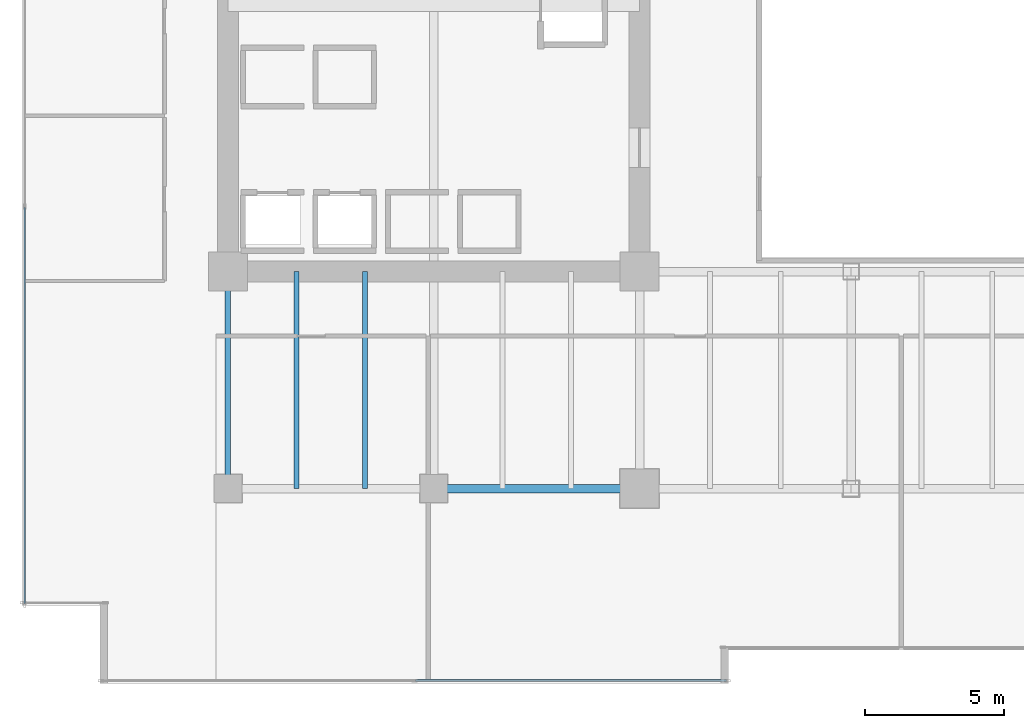
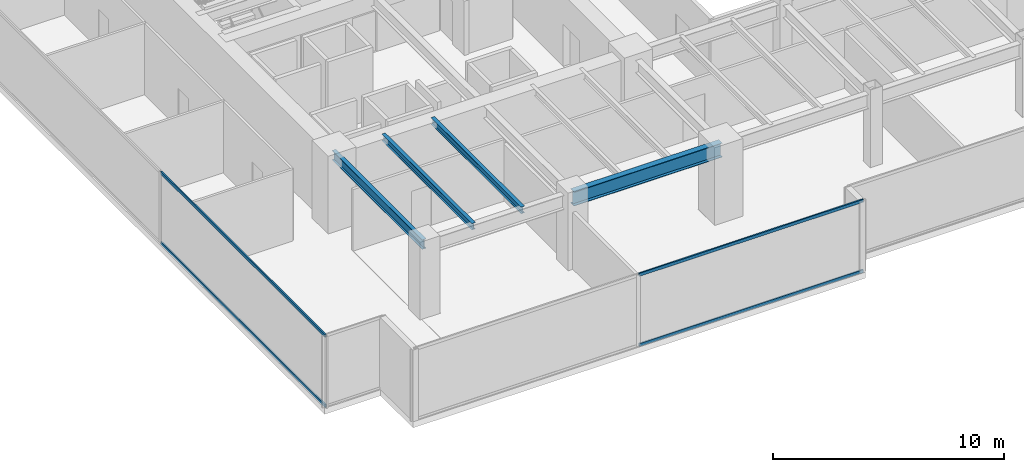
# One storey, part 3 of 37: 4 beams, 4 members, 2 elements without a shape of their own.
"""IFC4 building model written with IfcOpenShell, lengths in metres."""

from ifc_helpers import new_model, si_unit, direction, frame, origin, origin_2d, place, context, subcontext, project, spatial, hollow_rectangle, i_section, extrude, source, transform, mapped, material, layer, layer_set, material_profile, profile_set, type_object, type_shapes, element, aggregate, save


model = new_model("IFC4")

# Units and contexts
model_context = context("Model", 3, precision=1e-05, world=origin(), true_north=direction((0.0, 1.0)))
body_context = subcontext(model_context, "Body", "Model", "MODEL_VIEW")
ifc_project = project(units=[si_unit("LENGTHUNIT", "METRE"), si_unit("AREAUNIT", "SQUARE_METRE"), si_unit("VOLUMEUNIT", "CUBIC_METRE"), si_unit("PLANEANGLEUNIT", "RADIAN"), si_unit("MASSUNIT", "GRAM", prefix="KILO")], contexts=[model_context])

# Site, building, storey
site_placement = place(None, origin())
site = spatial("IfcSite", under=ifc_project, at=site_placement, CompositionType="ELEMENT")
building_placement = place(site_placement, origin())
building = spatial("IfcBuilding", under=site, at=building_placement, Name="Haelvirn Gate Laboratories", CompositionType="ELEMENT")
storey_placement = place(building_placement, frame((0.0, 0.0, 78.5)))
storey = spatial("IfcBuildingStorey", under=building, at=storey_placement, Name="L19", CompositionType="ELEMENT", Elevation=78.5)

# Beams
ifc_material_1 = material(Name="Steel SM355", Category="steel")
ifc_material_profile_1 = material_profile(ifc_material_1, i_section(OverallWidth=0.300048828125, OverallDepth=0.75, WebThickness=0.013916015625, FlangeThickness=0.02392578125, at=origin_2d()), Name="H-750x300x14x24")
ifc_profile_set_1 = profile_set([ifc_material_profile_1], Name="Steel SM355")
beam_type_1 = type_object("IfcBeamType", Name="BM-G-750", PredefinedType="BEAM", material=ifc_profile_set_1)
shared_shape_1 = source(origin(), body_context, "Body", "SweptSolid", [
    extrude(i_section(OverallWidth=0.300048828125, OverallDepth=0.75, WebThickness=0.013916015625, FlangeThickness=0.02392578125, at=origin_2d()), origin(), (0.0, 0.0, 1.0), 7.39990234375),
])
type_shapes(beam_type_1, [shared_shape_1])
beam_1_placement = place(storey_placement, frame((14.800048828125, 7.0, 3.405029296875), z_axis=(1.0, 0.0, 0.0), x_axis=(0.0, 1.0, 0.0)))
element("IfcBeam", 1, at=beam_1_placement, inside=storey, type_object=beam_type_1, Name="L19 Primary Girder Y7.0 (14.8-22.2)", PredefinedType="BEAM", context=body_context, shape_type="MappedRepresentation", body=[
    mapped(shared_shape_1, transform((0.0, 0.0, 0.0), scale=1.0)),
])
ifc_material_profile_2 = material_profile(ifc_material_1, i_section(OverallWidth=0.199951171875, OverallDepth=0.5, WebThickness=0.010009765625, FlangeThickness=0.01611328125, at=origin_2d()), Name="H-500x200x10x16")
ifc_profile_set_2 = profile_set([ifc_material_profile_2], Name="Steel SM355")
beam_type_2 = type_object("IfcBeamType", Name="BM-SP-500", PredefinedType="SPANDREL", material=ifc_profile_set_2)
shared_shape_2 = source(origin(), body_context, "Body", "SweptSolid", [
    extrude(i_section(OverallWidth=0.199951171875, OverallDepth=0.5, WebThickness=0.010009765625, FlangeThickness=0.01611328125, at=origin_2d()), origin(), (0.0, 0.0, 1.0), 7.800048828125),
])
type_shapes(beam_type_2, [shared_shape_2])
beam_2_placement = place(storey_placement, frame((7.39990234375, 7.0, 3.530029296875), z_axis=(0.0, 1.0, 0.0), x_axis=(-1.0, 0.0, 0.0)))
element("IfcBeam", 2, at=beam_2_placement, inside=storey, type_object=beam_type_2, Name="L19 Perimeter Spandrel X7.4 (7.0-14.8)", PredefinedType="SPANDREL", context=body_context, shape_type="MappedRepresentation", body=[
    mapped(shared_shape_2, transform((0.0, 0.0, 0.0), scale=1.0)),
])
ifc_material_profile_3 = material_profile(ifc_material_1, i_section(OverallWidth=0.175048828125, OverallDepth=0.35009765625, WebThickness=0.007080078125, FlangeThickness=0.010986328125, at=origin_2d()), Name="H-350x175x7x11")
ifc_profile_set_3 = profile_set([ifc_material_profile_3], Name="Steel SM355")
beam_type_3 = type_object("IfcBeamType", Name="BM-J-350", PredefinedType="JOIST", material=ifc_profile_set_3)
shared_shape_3 = source(origin(), body_context, "Body", "SweptSolid", [
    extrude(i_section(OverallWidth=0.175048828125, OverallDepth=0.35009765625, WebThickness=0.007080078125, FlangeThickness=0.010986328125, at=origin_2d()), origin(), (0.0, 0.0, 1.0), 7.800048828125),
])
type_shapes(beam_type_3, [shared_shape_3])
for number, where, z_axis, x_axis, name in (
    (3, (9.8701171875, 7.0, 3.60498046875), (0.0, 1.0, 0.0), (-1.0, 0.0, 0.0), "L19 Composite Lab Joist South X9.87"),
    (4, (12.330078125, 7.0, 3.60498046875), (0.0, 1.0, 0.0), (-1.0, 0.0, 0.0), "L19 Composite Lab Joist South X12.33"),
):
    element("IfcBeam", number, at=place(storey_placement, frame(where, z_axis=z_axis, x_axis=x_axis)), inside=storey, type_object=beam_type_3, Name=name, PredefinedType="JOIST", context=body_context, shape_type="MappedRepresentation", body=[
        mapped(shared_shape_3, transform((0.0, 0.0, 0.0), scale=1.0)),
    ])

# Curtain wall, members
ifc_material_2 = material(Name="Anodised bronze unitised aluminium & triple low-E glass", Category="aluminium")
ifc_layer = layer(ifc_material_2, 0.18408203125, Name="CW-SYS-2")
ifc_layer_set = layer_set([ifc_layer], Name="Anodised bronze unitised aluminium & triple low-E glass")
curtain_wall_type = type_object("IfcCurtainWallType", Name="CW-SYS-2", PredefinedType="NOTDEFINED", material=ifc_layer_set)
curtain_wall_1_placement = place(storey_placement, origin())
curtain_wall_1 = element("IfcCurtainWall", 5, at=curtain_wall_1_placement, inside=storey, type_object=curtain_wall_type, Name="L19 Unitised Curtain Wall CW-L19-P0-E00-1", PredefinedType="NOTDEFINED")
ifc_material_3 = material(Name="Extruded aluminium 6063-T6 (anodised bronze)", Category="aluminium")
ifc_material_profile_4 = material_profile(ifc_material_3, hollow_rectangle(XDim=0.070068359375, YDim=0.159912109375, WallThickness=0.0048828125, at=origin_2d()), Name="CWT-160x70x5")
ifc_profile_set_4 = profile_set([ifc_material_profile_4], Name="Extruded aluminium 6063-T6 (anodised bronze)")
member_type = type_object("IfcMemberType", Name="CWT-T160", PredefinedType="USERDEFINED", material=ifc_profile_set_4)
shared_shape_4 = source(origin(), body_context, "Body", "SweptSolid", [
    extrude(hollow_rectangle(XDim=0.070068359375, YDim=0.159912109375, WallThickness=0.0048828125, at=origin_2d()), origin(), (0.0, 0.0, 1.0), 11.1875),
])
member_1_placement = place(storey_placement, frame((14.137451171875, 0.10009765625, 0.034912109375), z_axis=(1.0, 0.0, 0.0), x_axis=(0.0, 1.0, 0.0)))
member_1 = element("IfcMember", 6, at=member_1_placement, type_object=member_type, Name="CW2 transom 2.1", ObjectType="TRANSOM", PredefinedType="USERDEFINED", context=body_context, shape_type="MappedRepresentation", body=[
    mapped(shared_shape_4, transform((0.0, 0.0, 0.0), scale=1.0)),
])
member_2_placement = place(storey_placement, frame((14.137451171875, 0.10009765625, 3.7451171875), z_axis=(1.0, 0.0, 0.0), x_axis=(0.0, 1.0, 0.0)))
member_2 = element("IfcMember", 7, at=member_2_placement, type_object=member_type, Name="CW2 transom 2.2", ObjectType="TRANSOM", PredefinedType="USERDEFINED", context=body_context, shape_type="MappedRepresentation", body=[
    mapped(shared_shape_4, transform((0.0, 0.0, 0.0), scale=1.0)),
])
aggregate(curtain_wall_1, [member_1, member_2])

curtain_wall_2_placement = place(storey_placement, origin())
curtain_wall_2 = element("IfcCurtainWall", 8, at=curtain_wall_2_placement, inside=storey, type_object=curtain_wall_type, Name="L19 Unitised Curtain Wall CW-L19-P0-E17", PredefinedType="NOTDEFINED")
shared_shape_5 = source(origin(), body_context, "Body", "SweptSolid", [
    extrude(hollow_rectangle(XDim=0.070068359375, YDim=0.159912109375, WallThickness=0.0048828125, at=origin_2d()), origin(), (0.0, 0.0, 1.0), 14.220947265625),
])
type_shapes(member_type, [shared_shape_4, shared_shape_5])
member_3_placement = place(storey_placement, frame((0.10009765625, 17.095947265625, 0.034912109375), z_axis=(0.0, -1.0, 0.0), x_axis=(1.0, 0.0, 0.0)))
member_3 = element("IfcMember", 9, at=member_3_placement, type_object=member_type, Name="CW2 transom 3.1", ObjectType="TRANSOM", PredefinedType="USERDEFINED", context=body_context, shape_type="MappedRepresentation", body=[
    mapped(shared_shape_5, transform((0.0, 0.0, 0.0), scale=1.0)),
])
member_4_placement = place(storey_placement, frame((0.10009765625, 17.095947265625, 3.7451171875), z_axis=(0.0, -1.0, 0.0), x_axis=(1.0, 0.0, 0.0)))
member_4 = element("IfcMember", 10, at=member_4_placement, type_object=member_type, Name="CW2 transom 3.2", ObjectType="TRANSOM", PredefinedType="USERDEFINED", context=body_context, shape_type="MappedRepresentation", body=[
    mapped(shared_shape_5, transform((0.0, 0.0, 0.0), scale=1.0)),
])
aggregate(curtain_wall_2, [member_3, member_4])

save(model, "model.ifc")
